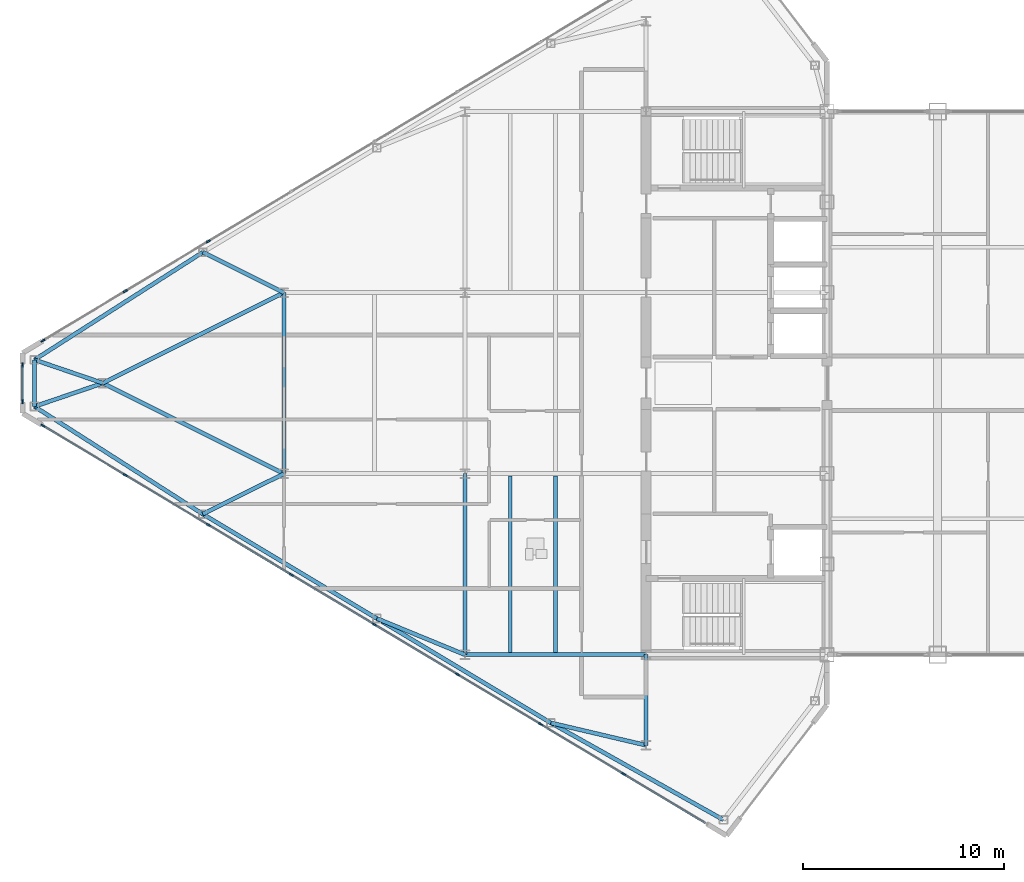
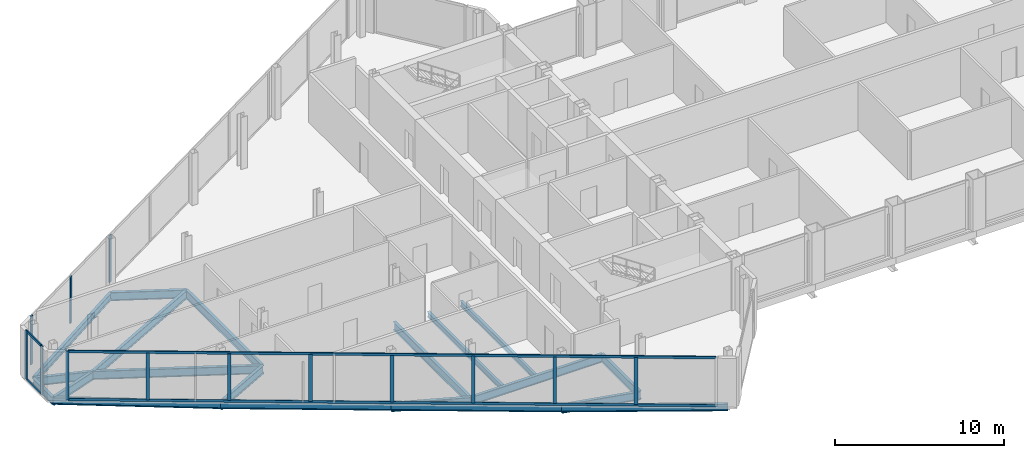
# One storey, part 8 of 29: 20 beams, 17 members, 3 elements without a shape of their own.
"""IFC4 building model written with IfcOpenShell, lengths in metres."""

from ifc_helpers import new_model, si_unit, direction, frame, origin, origin_2d, place, context, subcontext, project, spatial, rectangle, i_section, extrude, source, transform, mapped, material, layer, layer_set, material_profile, profile_set, type_object, type_shapes, element, aggregate, save


model = new_model("IFC4")

# Units and contexts
model_context = context("Model", 3, precision=1e-05, world=origin(), true_north=direction((0.0, 1.0)))
body_context = subcontext(model_context, "Body", "Model", "MODEL_VIEW")
ifc_project = project(units=[si_unit("LENGTHUNIT", "METRE"), si_unit("AREAUNIT", "SQUARE_METRE"), si_unit("VOLUMEUNIT", "CUBIC_METRE"), si_unit("PLANEANGLEUNIT", "RADIAN"), si_unit("MASSUNIT", "GRAM", prefix="KILO")], contexts=[model_context])

# Site, building, storey
site_placement = place(None, origin())
site = spatial("IfcSite", under=ifc_project, at=site_placement, CompositionType="ELEMENT")
building_placement = place(site_placement, origin())
building = spatial("IfcBuilding", under=site, at=building_placement, Name="Seokmaru Belvedere", CompositionType="ELEMENT")
storey_placement = place(building_placement, frame((0.0, 0.0, 246.89990234375)))
storey = spatial("IfcBuildingStorey", under=building, at=storey_placement, Name="L65", CompositionType="ELEMENT", Elevation=246.89990234375)

# Beams
ifc_material_1 = material(Name="Steel SM355 (355 MPa)", Category="steel")
ifc_material_profile_1 = material_profile(ifc_material_1, i_section(OverallWidth=0.199951171875, OverallDepth=0.60009765625, WebThickness=0.010986328125, FlangeThickness=0.01708984375, at=origin_2d()), Name="H-600x200x11x17")
ifc_profile_set_1 = profile_set([ifc_material_profile_1], Name="Steel SM355 (355 MPa)")
beam_type_1 = type_object("IfcBeamType", Name="Primary Floor Girder H-600", PredefinedType="BEAM", material=ifc_profile_set_1)
shared_shape_1 = source(origin(), body_context, "Body", "SweptSolid", [
    extrude(i_section(OverallWidth=0.199951171875, OverallDepth=0.60009765625, WebThickness=0.010986328125, FlangeThickness=0.01708984375, at=origin_2d()), origin(), (0.0, 0.0, 1.0), 9.0),
])
for number, where, z_axis, x_axis, name in (
    (1, (-45.5, -13.5, -0.52001953125), (0.0, 1.0, 0.0), (-1.0, 0.0, 0.0), "L65 W Interior Grid Girder 1"),
    (2, (-45.5, -13.5, -0.52001953125), (1.0, 0.0, 0.0), (0.0, 1.0, 0.0), "L65 W Wing Primary Girder 1"),
    (3, (-54.5, -4.5, -0.52001953125), (0.0, 1.0, 0.0), (-1.0, 0.0, 0.0), "L65 W Apex Frame Girder"),
):
    element("IfcBeam", number, at=place(storey_placement, frame(where, z_axis=z_axis, x_axis=x_axis)), inside=storey, type_object=beam_type_1, Name=name, PredefinedType="BEAM", context=body_context, shape_type="MappedRepresentation", body=[
        mapped(shared_shape_1, transform((0.0, 0.0, 0.0), scale=1.0)),
    ])
shared_shape_2 = source(origin(), body_context, "Body", "SweptSolid", [
    extrude(i_section(OverallWidth=0.199951171875, OverallDepth=0.60009765625, WebThickness=0.010986328125, FlangeThickness=0.01708984375, at=origin_2d()), origin(), (0.0, 0.0, 1.0), 10.062255859375),
])
for number, where, z_axis, x_axis, name in (
    (4, (-54.5, -4.5, -0.52001953125), (-0.894427191, 0.4472135955, 0.0), (-0.4472135955, -0.894427191, 0.0), "L65 W Apex Converging Girder 1"),
    (5, (-54.5, 4.5, -0.52001953125), (-0.894427191, -0.4472135955, 0.0), (0.4472135955, -0.894427191, 0.0), "L65 W Apex Converging Girder 2"),
):
    element("IfcBeam", number, at=place(storey_placement, frame(where, z_axis=z_axis, x_axis=x_axis)), inside=storey, type_object=beam_type_1, Name=name, PredefinedType="BEAM", context=body_context, shape_type="MappedRepresentation", body=[
        mapped(shared_shape_2, transform((0.0, 0.0, 0.0), scale=1.0)),
    ])
ifc_material_profile_2 = material_profile(ifc_material_1, i_section(OverallWidth=0.18505859375, OverallDepth=0.389892578125, WebThickness=0.008056640625, FlangeThickness=0.011962890625, at=origin_2d()), Name="H-390x185x8x12")
ifc_profile_set_2 = profile_set([ifc_material_profile_2], Name="Steel SM355 (355 MPa)")
beam_type_2 = type_object("IfcBeamType", Name="Secondary Floor Joist H-350", PredefinedType="JOIST", material=ifc_profile_set_2)
shared_shape_3 = source(origin(), body_context, "Body", "SweptSolid", [
    extrude(i_section(OverallWidth=0.18505859375, OverallDepth=0.389892578125, WebThickness=0.008056640625, FlangeThickness=0.011962890625, at=origin_2d()), origin(), (0.0, 0.0, 1.0), 8.7900390625),
])
type_shapes(beam_type_2, [shared_shape_3])
for number, where, z_axis, x_axis, name in (
    (6, (-43.25, -13.39501953125, -0.414794921875), (0.0, 1.0, 0.0), (-1.0, 0.0, 0.0), "L65 W Wing Inner Secondary Joist 1"),
    (7, (-41.0, -13.39501953125, -0.414794921875), (0.0, 1.0, 0.0), (-1.0, 0.0, 0.0), "L65 W Secondary Floor Joist 1"),
):
    element("IfcBeam", number, at=place(storey_placement, frame(where, z_axis=z_axis, x_axis=x_axis)), inside=storey, type_object=beam_type_2, Name=name, PredefinedType="JOIST", context=body_context, shape_type="MappedRepresentation", body=[
        mapped(shared_shape_3, transform((0.0, 0.0, 0.0), scale=1.0)),
    ])
shared_shape_4 = source(origin(), body_context, "Body", "SweptSolid", [
    extrude(i_section(OverallWidth=0.199951171875, OverallDepth=0.60009765625, WebThickness=0.010986328125, FlangeThickness=0.01708984375, at=origin_2d()), origin(), (0.0, 0.0, 1.0), 4.5),
])
beam_1_placement = place(storey_placement, frame((-36.5, -18.0, -0.52001953125), z_axis=(0.0, 1.0, 0.0), x_axis=(-1.0, 0.0, 0.0)))
element("IfcBeam", 8, at=beam_1_placement, inside=storey, type_object=beam_type_1, Name="L65 W Core Shoulder Girder S", PredefinedType="BEAM", context=body_context, shape_type="MappedRepresentation", body=[
    mapped(shared_shape_4, transform((0.0, 0.0, 0.0), scale=1.0)),
])
ifc_material_profile_3 = material_profile(ifc_material_1, i_section(OverallWidth=0.199951171875, OverallDepth=0.5, WebThickness=0.010009765625, FlangeThickness=0.01611328125, at=origin_2d()), Name="H-500x200x10x16")
ifc_profile_set_3 = profile_set([ifc_material_profile_3], Name="Steel SM355 (355 MPa)")
beam_type_3 = type_object("IfcBeamType", Name="Perimeter Spandrel Beam H-500", PredefinedType="SPANDREL", material=ifc_profile_set_3)
shared_shape_5 = source(origin(), body_context, "Body", "SweptSolid", [
    extrude(i_section(OverallWidth=0.199951171875, OverallDepth=0.5, WebThickness=0.010009765625, FlangeThickness=0.01611328125, at=origin_2d()), origin(), (0.0, 0.0, 1.0), 9.842041015625),
])
beam_2_placement = place(storey_placement, frame((-32.649658203125, -21.71044921875, -0.469970703125), z_axis=(-0.871782151818, 0.489893743349, 0.0), x_axis=(-0.489893743349, -0.871782151818, 0.0)))
element("IfcBeam", 9, at=beam_2_placement, inside=storey, type_object=beam_type_3, Name="L65 W Faceted Flank Spandrel S-1", PredefinedType="SPANDREL", context=body_context, shape_type="MappedRepresentation", body=[
    mapped(shared_shape_5, transform((0.0, 0.0, 0.0), scale=1.0)),
])
shared_shape_6 = source(origin(), body_context, "Body", "SweptSolid", [
    extrude(i_section(OverallWidth=0.199951171875, OverallDepth=0.5, WebThickness=0.010009765625, FlangeThickness=0.01611328125, at=origin_2d()), origin(), (0.0, 0.0, 1.0), 10.087646484375),
])
for number, where, z_axis, x_axis, name in (
    (10, (-41.229736328125, -16.888916015625, -0.469970703125), (-0.857499332045, 0.514485078056, 0.0), (-0.514485078056, -0.857499332045, 0.0), "L65 W Faceted Flank Spandrel S-2"),
    (11, (-49.8798828125, -11.698974609375, -0.469970703125), (-0.857488654804, 0.514502873542, 0.0), (-0.514502873542, -0.857488654804, 0.0), "L65 W Faceted Flank Spandrel S-3"),
):
    element("IfcBeam", number, at=place(storey_placement, frame(where, z_axis=z_axis, x_axis=x_axis)), inside=storey, type_object=beam_type_3, Name=name, PredefinedType="SPANDREL", context=body_context, shape_type="MappedRepresentation", body=[
        mapped(shared_shape_6, transform((0.0, 0.0, 0.0), scale=1.0)),
    ])
shared_shape_7 = source(origin(), body_context, "Body", "SweptSolid", [
    extrude(i_section(OverallWidth=0.199951171875, OverallDepth=0.5, WebThickness=0.010009765625, FlangeThickness=0.01611328125, at=origin_2d()), origin(), (0.0, 0.0, 1.0), 9.932861328125),
])
for number, where, z_axis, x_axis, name in (
    (12, (-58.530029296875, -6.5087890625, -0.469970703125), (-0.842651960357, 0.538458609093, 0.0), (-0.538458609093, -0.842651960357, 0.0), "L65 W Faceted Flank Spandrel S-4"),
    (13, (-58.530029296875, 6.5087890625, -0.469970703125), (-0.842651960357, -0.538458609093, 0.0), (0.538458609093, -0.842651960357, 0.0), "L65 W Faceted Flank Spandrel N-4"),
):
    element("IfcBeam", number, at=place(storey_placement, frame(where, z_axis=z_axis, x_axis=x_axis)), inside=storey, type_object=beam_type_3, Name=name, PredefinedType="SPANDREL", context=body_context, shape_type="MappedRepresentation", body=[
        mapped(shared_shape_7, transform((0.0, 0.0, 0.0), scale=1.0)),
    ])
shared_shape_8 = source(origin(), body_context, "Body", "SweptSolid", [
    extrude(i_section(OverallWidth=0.199951171875, OverallDepth=0.5, WebThickness=0.010009765625, FlangeThickness=0.01611328125, at=origin_2d()), origin(), (0.0, 0.0, 1.0), 2.32080078125),
])
type_shapes(beam_type_3, [shared_shape_5, shared_shape_6, shared_shape_7, shared_shape_8])
beam_3_placement = place(storey_placement, frame((-66.89990234375, -1.160400390625, -0.469970703125), z_axis=(0.0, 1.0, 0.0), x_axis=(-1.0, 0.0, 0.0)))
element("IfcBeam", 14, at=beam_3_placement, inside=storey, type_object=beam_type_3, Name="L65 W Faceted Apex Spandrel", PredefinedType="SPANDREL", context=body_context, shape_type="MappedRepresentation", body=[
    mapped(shared_shape_8, transform((0.0, 0.0, 0.0), scale=1.0)),
])
shared_shape_9 = source(origin(), body_context, "Body", "SweptSolid", [
    extrude(i_section(OverallWidth=0.199951171875, OverallDepth=0.60009765625, WebThickness=0.010986328125, FlangeThickness=0.01708984375, at=origin_2d()), origin(), (0.0, 0.0, 1.0), 4.8583984375),
])
beam_4_placement = place(storey_placement, frame((-41.229736328125, -16.888916015625, -0.52001953125), z_axis=(0.97349948295, -0.228689214211, 0.0), x_axis=(0.228689214211, 0.97349948295, 0.0)))
element("IfcBeam", 15, at=beam_4_placement, inside=storey, type_object=beam_type_1, Name="L65 W Flank Radial Floor Girder S-1", PredefinedType="BEAM", context=body_context, shape_type="MappedRepresentation", body=[
    mapped(shared_shape_9, transform((0.0, 0.0, 0.0), scale=1.0)),
])
shared_shape_10 = source(origin(), body_context, "Body", "SweptSolid", [
    extrude(i_section(OverallWidth=0.199951171875, OverallDepth=0.60009765625, WebThickness=0.010986328125, FlangeThickness=0.01708984375, at=origin_2d()), origin(), (0.0, 0.0, 1.0), 4.73583984375),
])
beam_5_placement = place(storey_placement, frame((-49.8798828125, -11.698974609375, -0.52001953125), z_axis=(0.924860562953, -0.380306375301, 0.0), x_axis=(0.380306375301, 0.924860562953, 0.0)))
element("IfcBeam", 16, at=beam_5_placement, inside=storey, type_object=beam_type_1, Name="L65 W Flank Radial Floor Girder S-2", PredefinedType="BEAM", context=body_context, shape_type="MappedRepresentation", body=[
    mapped(shared_shape_10, transform((0.0, 0.0, 0.0), scale=1.0)),
])
shared_shape_11 = source(origin(), body_context, "Body", "SweptSolid", [
    extrude(i_section(OverallWidth=0.199951171875, OverallDepth=0.60009765625, WebThickness=0.010986328125, FlangeThickness=0.01708984375, at=origin_2d()), origin(), (0.0, 0.0, 1.0), 4.5029296875),
])
for number, where, z_axis, x_axis, name in (
    (17, (-58.530029296875, -6.5087890625, -0.52001953125), (0.894979532585, 0.446107202648, 0.0), (-0.446107202648, 0.894979532585, 0.0), "L65 W Flank Radial Floor Girder S-3"),
    (18, (-58.530029296875, 6.5087890625, -0.52001953125), (0.894979532585, -0.446107202648, 0.0), (0.446107202648, 0.894979532585, 0.0), "L65 W Flank Radial Floor Girder N-3"),
):
    element("IfcBeam", number, at=place(storey_placement, frame(where, z_axis=z_axis, x_axis=x_axis)), inside=storey, type_object=beam_type_1, Name=name, PredefinedType="BEAM", context=body_context, shape_type="MappedRepresentation", body=[
        mapped(shared_shape_11, transform((0.0, 0.0, 0.0), scale=1.0)),
    ])
shared_shape_12 = source(origin(), body_context, "Body", "SweptSolid", [
    extrude(i_section(OverallWidth=0.199951171875, OverallDepth=0.60009765625, WebThickness=0.010986328125, FlangeThickness=0.01708984375, at=origin_2d()), origin(), (0.0, 0.0, 1.0), 3.592529296875),
])
type_shapes(beam_type_1, [shared_shape_1, shared_shape_2, shared_shape_4, shared_shape_9, shared_shape_10, shared_shape_11, shared_shape_12])
for number, where, z_axis, x_axis, name in (
    (19, (-66.89990234375, -1.160400390625, -0.52001953125), (0.946395973048, 0.323008764893, 0.0), (-0.323008764893, 0.946395973048, 0.0), "L65 W Apex Radial Floor Girder 1"),
    (20, (-66.89990234375, 1.160400390625, -0.52001953125), (0.946395973048, -0.323008764893, 0.0), (0.323008764893, 0.946395973048, 0.0), "L65 W Apex Radial Floor Girder 2"),
):
    element("IfcBeam", number, at=place(storey_placement, frame(where, z_axis=z_axis, x_axis=x_axis)), inside=storey, type_object=beam_type_1, Name=name, PredefinedType="BEAM", context=body_context, shape_type="MappedRepresentation", body=[
        mapped(shared_shape_12, transform((0.0, 0.0, 0.0), scale=1.0)),
    ])

# Curtain wall, members
ifc_material_2 = material(Name="Bronze Triple Insulating Glass", Category="glass")
ifc_layer = layer(ifc_material_2, 0.219970703125)
ifc_layer_set = layer_set([ifc_layer], Name="Bronze Triple Insulating Glass")
curtain_wall_type = type_object("IfcCurtainWallType", Name="Sky-Gate Bridge Panorama Curtain Wall System CW-6", PredefinedType="NOTDEFINED", material=ifc_layer_set)
curtain_wall_1_placement = place(storey_placement, origin())
curtain_wall_1 = element("IfcCurtainWall", 21, at=curtain_wall_1_placement, inside=storey, type_object=curtain_wall_type, Name="L65 Curtain Wall WF5", PredefinedType="NOTDEFINED")
ifc_material_3 = material(Name="Anodised Bronze Aluminium", Category="aluminium")
ifc_material_profile_4 = material_profile(ifc_material_3, rectangle(XDim=0.074951171875, YDim=0.179931640625, at=origin_2d()), Name="CW-T-75x180")
ifc_profile_set_4 = profile_set([ifc_material_profile_4], Name="Anodised Bronze Aluminium")
member_type_1 = type_object("IfcMemberType", Name="Bronze Unitised Transom 75x180", PredefinedType="USERDEFINED", material=ifc_profile_set_4)
shared_shape_13 = source(origin(), body_context, "Body", "SweptSolid", [
    extrude(rectangle(XDim=0.074951171875, YDim=0.179931640625, at=origin_2d()), origin(), (0.0, 0.0, 1.0), 38.356689453125),
])
member_1_placement = place(storey_placement, frame((-66.4453125, -2.1328125, 0.03759765625), z_axis=(0.857492925713, -0.514495755428, 0.0), x_axis=(0.514495755428, 0.857492925713, 0.0)))
member_1 = element("IfcMember", 22, at=member_1_placement, type_object=member_type_1, Name="CW:L65:WF5 Continuous Transom 1", ObjectType="TRANSOM", PredefinedType="USERDEFINED", context=body_context, shape_type="MappedRepresentation", body=[
    mapped(shared_shape_13, transform((0.0, 0.0, 0.0), scale=1.0)),
])
member_2_placement = place(storey_placement, frame((-66.4453125, -2.1328125, 3.49267578125), z_axis=(0.857492925713, -0.514495755428, 0.0), x_axis=(0.514495755428, 0.857492925713, 0.0)))
member_2 = element("IfcMember", 23, at=member_2_placement, type_object=member_type_1, Name="CW:L65:WF5 Continuous Transom 2", ObjectType="TRANSOM", PredefinedType="USERDEFINED", context=body_context, shape_type="MappedRepresentation", body=[
    mapped(shared_shape_13, transform((0.0, 0.0, 0.0), scale=1.0)),
])

curtain_wall_2_placement = place(storey_placement, origin())
curtain_wall_2 = element("IfcCurtainWall", 24, at=curtain_wall_2_placement, inside=storey, type_object=curtain_wall_type, Name="L65 Curtain Wall WF4", PredefinedType="NOTDEFINED")
shared_shape_14 = source(origin(), body_context, "Body", "SweptSolid", [
    extrude(rectangle(XDim=0.074951171875, YDim=0.179931640625, at=origin_2d()), origin(), (0.0, 0.0, 1.0), 1.740234375),
])
type_shapes(member_type_1, [shared_shape_13, shared_shape_14])
member_3_placement = place(storey_placement, frame((-67.5, 0.8701171875, 0.03759765625), z_axis=(0.0, -1.0, 0.0), x_axis=(1.0, 0.0, 0.0)))
member_3 = element("IfcMember", 25, at=member_3_placement, type_object=member_type_1, Name="CW:L65:WF4 Continuous Transom 1", ObjectType="TRANSOM", PredefinedType="USERDEFINED", context=body_context, shape_type="MappedRepresentation", body=[
    mapped(shared_shape_14, transform((0.0, 0.0, 0.0), scale=1.0)),
])
member_4_placement = place(storey_placement, frame((-67.5, 0.8701171875, 3.49267578125), z_axis=(0.0, -1.0, 0.0), x_axis=(1.0, 0.0, 0.0)))
member_4 = element("IfcMember", 26, at=member_4_placement, type_object=member_type_1, Name="CW:L65:WF4 Continuous Transom 2", ObjectType="TRANSOM", PredefinedType="USERDEFINED", context=body_context, shape_type="MappedRepresentation", body=[
    mapped(shared_shape_14, transform((0.0, 0.0, 0.0), scale=1.0)),
])

# Curtain wall, member
curtain_wall_3_placement = place(storey_placement, origin())
curtain_wall_3 = element("IfcCurtainWall", 27, at=curtain_wall_3_placement, inside=storey, type_object=curtain_wall_type, Name="L65 Curtain Wall WF3", PredefinedType="NOTDEFINED")
ifc_material_profile_5 = material_profile(ifc_material_3, rectangle(XDim=0.080078125, YDim=0.219970703125, at=origin_2d()), Name="CW-M-80x220")
ifc_profile_set_5 = profile_set([ifc_material_profile_5], Name="Anodised Bronze Aluminium")
member_type_2 = type_object("IfcMemberType", Name="Bronze Unitised Mullion 80x220", PredefinedType="MULLION", material=ifc_profile_set_5)
shared_shape_15 = source(origin(), body_context, "Body", "SweptSolid", [
    extrude(rectangle(XDim=0.080078125, YDim=0.219970703125, at=origin_2d()), origin(), (0.0, 0.0, 1.0), 3.530029296875),
])
member_5_placement = place(storey_placement, frame((-66.4794921875, 2.1123046875, 0.0), z_axis=(0.0, 0.0, 1.0), x_axis=(0.514494909364, -0.85749343335, 0.0)))
member_5 = element("IfcMember", 28, at=member_5_placement, type_object=member_type_2, Name="CW:L65:WF3 Mullion 9", PredefinedType="MULLION", context=body_context, shape_type="MappedRepresentation", body=[
    mapped(shared_shape_15, transform((0.0, 0.0, 0.0), scale=1.0)),
])

# Member
member_6_placement = place(storey_placement, frame((-67.5, 0.909912109375, 0.0), z_axis=(0.0, 0.0, 1.0), x_axis=(1.0, 0.0, 0.0)))
member_6 = element("IfcMember", 29, at=member_6_placement, type_object=member_type_2, Name="CW:L65:WF4 Mullion 1", PredefinedType="MULLION", context=body_context, shape_type="MappedRepresentation", body=[
    mapped(shared_shape_15, transform((0.0, 0.0, 0.0), scale=1.0)),
])

member_7_placement = place(storey_placement, frame((-67.5, -0.909912109375, 0.0), z_axis=(0.0, 0.0, 1.0), x_axis=(1.0, 0.0, 0.0)))
member_7 = element("IfcMember", 30, at=member_7_placement, type_object=member_type_2, Name="CW:L65:WF4 Mullion 2", PredefinedType="MULLION", context=body_context, shape_type="MappedRepresentation", body=[
    mapped(shared_shape_15, transform((0.0, 0.0, 0.0), scale=1.0)),
])

aggregate(curtain_wall_2, [member_6, member_7, member_3, member_4])

member_8_placement = place(storey_placement, frame((-66.4794921875, -2.1123046875, 0.0), z_axis=(0.0, 0.0, 1.0), x_axis=(0.514494909364, 0.85749343335, 0.0)))
member_8 = element("IfcMember", 31, at=member_8_placement, type_object=member_type_2, Name="CW:L65:WF5 Mullion 1", PredefinedType="MULLION", context=body_context, shape_type="MappedRepresentation", body=[
    mapped(shared_shape_15, transform((0.0, 0.0, 0.0), scale=1.0)),
])

shared_shape_16 = source(origin(), body_context, "Body", "SweptSolid", [
    extrude(rectangle(XDim=0.080078125, YDim=0.219970703125, at=origin_2d()), origin(), (0.0, 0.0, 1.0), 3.3798828125),
])
type_shapes(member_type_2, [shared_shape_15, shared_shape_16])
member_9_placement = place(storey_placement, frame((-58.257080078125, 7.0458984375, 0.0751953125), z_axis=(0.0, 0.0, 1.0), x_axis=(0.514494909364, -0.85749343335, 0.0)))
member_9 = element("IfcMember", 32, at=member_9_placement, type_object=member_type_2, Name="CW:L65:WF3 Mullion 7", PredefinedType="MULLION", context=body_context, shape_type="MappedRepresentation", body=[
    mapped(shared_shape_16, transform((0.0, 0.0, 0.0), scale=1.0)),
])

member_10_placement = place(storey_placement, frame((-62.385498046875, 4.56884765625, 0.0751953125), z_axis=(0.0, 0.0, 1.0), x_axis=(0.514494909364, -0.85749343335, 0.0)))
member_10 = element("IfcMember", 33, at=member_10_placement, type_object=member_type_2, Name="CW:L65:WF3 Mullion 8", PredefinedType="MULLION", context=body_context, shape_type="MappedRepresentation", body=[
    mapped(shared_shape_16, transform((0.0, 0.0, 0.0), scale=1.0)),
])

aggregate(curtain_wall_3, [member_9, member_10, member_5])

member_11_placement = place(storey_placement, frame((-62.385498046875, -4.56884765625, 0.0751953125), z_axis=(0.0, 0.0, 1.0), x_axis=(0.514494909364, 0.85749343335, 0.0)))
member_11 = element("IfcMember", 34, at=member_11_placement, type_object=member_type_2, Name="CW:L65:WF5 Mullion 2", PredefinedType="MULLION", context=body_context, shape_type="MappedRepresentation", body=[
    mapped(shared_shape_16, transform((0.0, 0.0, 0.0), scale=1.0)),
])

member_12_placement = place(storey_placement, frame((-58.257080078125, -7.0458984375, 0.0751953125), z_axis=(0.0, 0.0, 1.0), x_axis=(0.514494909364, 0.85749343335, 0.0)))
member_12 = element("IfcMember", 35, at=member_12_placement, type_object=member_type_2, Name="CW:L65:WF5 Mullion 3", PredefinedType="MULLION", context=body_context, shape_type="MappedRepresentation", body=[
    mapped(shared_shape_16, transform((0.0, 0.0, 0.0), scale=1.0)),
])

member_13_placement = place(storey_placement, frame((-54.12841796875, -9.52294921875, 0.0751953125), z_axis=(0.0, 0.0, 1.0), x_axis=(0.514494909364, 0.85749343335, 0.0)))
member_13 = element("IfcMember", 36, at=member_13_placement, type_object=member_type_2, Name="CW:L65:WF5 Mullion 4", PredefinedType="MULLION", context=body_context, shape_type="MappedRepresentation", body=[
    mapped(shared_shape_16, transform((0.0, 0.0, 0.0), scale=1.0)),
])

member_14_placement = place(storey_placement, frame((-50.0, -12.0, 0.0751953125), z_axis=(0.0, 0.0, 1.0), x_axis=(0.514494909364, 0.85749343335, 0.0)))
member_14 = element("IfcMember", 37, at=member_14_placement, type_object=member_type_2, Name="CW:L65:WF5 Mullion 5", PredefinedType="MULLION", context=body_context, shape_type="MappedRepresentation", body=[
    mapped(shared_shape_16, transform((0.0, 0.0, 0.0), scale=1.0)),
])

member_15_placement = place(storey_placement, frame((-45.87158203125, -14.47705078125, 0.0751953125), z_axis=(0.0, 0.0, 1.0), x_axis=(0.514494909364, 0.85749343335, 0.0)))
member_15 = element("IfcMember", 38, at=member_15_placement, type_object=member_type_2, Name="CW:L65:WF5 Mullion 6", PredefinedType="MULLION", context=body_context, shape_type="MappedRepresentation", body=[
    mapped(shared_shape_16, transform((0.0, 0.0, 0.0), scale=1.0)),
])

member_16_placement = place(storey_placement, frame((-41.742919921875, -16.9541015625, 0.0751953125), z_axis=(0.0, 0.0, 1.0), x_axis=(0.514494909364, 0.85749343335, 0.0)))
member_16 = element("IfcMember", 39, at=member_16_placement, type_object=member_type_2, Name="CW:L65:WF5 Mullion 7", PredefinedType="MULLION", context=body_context, shape_type="MappedRepresentation", body=[
    mapped(shared_shape_16, transform((0.0, 0.0, 0.0), scale=1.0)),
])

member_17_placement = place(storey_placement, frame((-37.614501953125, -19.43115234375, 0.0751953125), z_axis=(0.0, 0.0, 1.0), x_axis=(0.514494909364, 0.85749343335, 0.0)))
member_17 = element("IfcMember", 40, at=member_17_placement, type_object=member_type_2, Name="CW:L65:WF5 Mullion 8", PredefinedType="MULLION", context=body_context, shape_type="MappedRepresentation", body=[
    mapped(shared_shape_16, transform((0.0, 0.0, 0.0), scale=1.0)),
])

aggregate(curtain_wall_1, [member_8, member_11, member_12, member_13, member_14, member_15, member_16, member_17, member_1, member_2])

save(model, "model.ifc")
